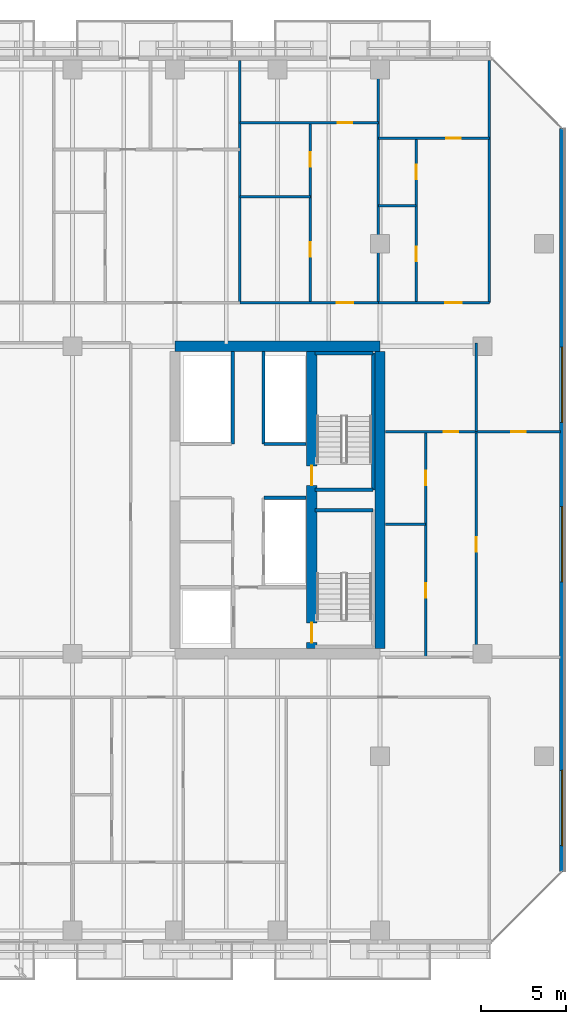
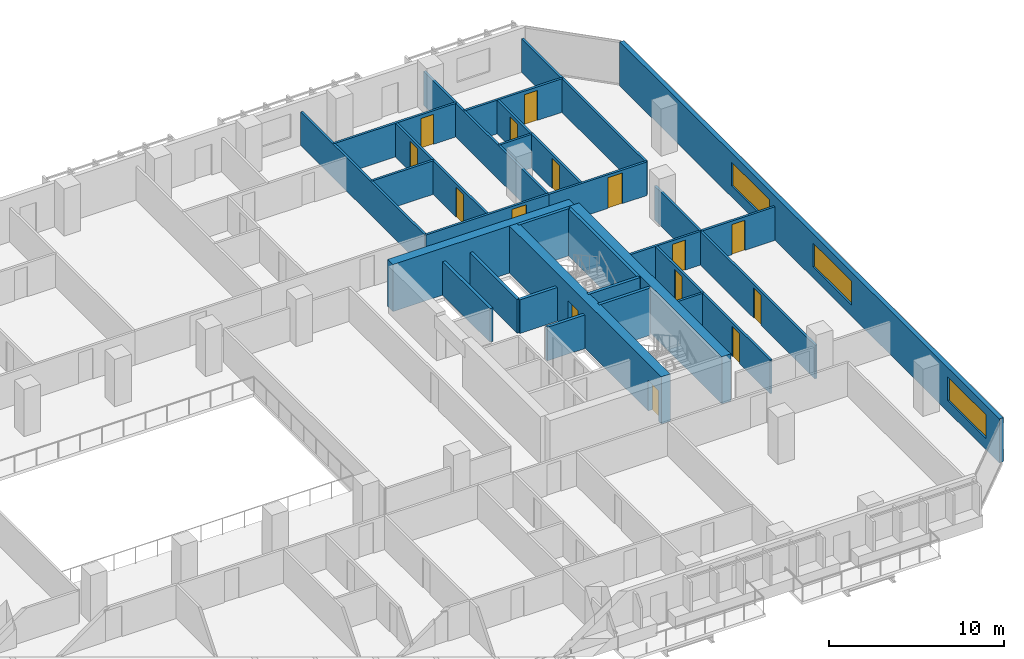
# One storey, part 24 of 34: 28 walls, 15 doors, 3 windows, 18 openings.
"""IFC4 building model written with IfcOpenShell, lengths in metres."""

from ifc_helpers import new_model, si_unit, direction, frame, frame_2d, origin, place, context, subcontext, project, spatial, rectangle, extrude, material, layer, layer_set, type_object, element, fill, save


model = new_model("IFC4")

# Units and contexts
model_context = context("Model", 3, precision=1e-05, world=origin(), true_north=direction((0.0, 1.0)))
body_context = subcontext(model_context, "Body", "Model", "MODEL_VIEW")
ifc_project = project(units=[si_unit("LENGTHUNIT", "METRE"), si_unit("AREAUNIT", "SQUARE_METRE"), si_unit("VOLUMEUNIT", "CUBIC_METRE"), si_unit("PLANEANGLEUNIT", "RADIAN"), si_unit("MASSUNIT", "GRAM", prefix="KILO")], contexts=[model_context])

# Site, building, storey
site_placement = place(None, origin())
site = spatial("IfcSite", under=ifc_project, at=site_placement, CompositionType="ELEMENT")
building_placement = place(site_placement, origin())
building = spatial("IfcBuilding", under=site, at=building_placement, Name="Tanjung Sevakor Pilgrim Tower", CompositionType="ELEMENT")
storey_placement = place(building_placement, frame((0.0, 0.0, 55.43994140625)))
storey = spatial("IfcBuildingStorey", under=building, at=storey_placement, Name="L15", CompositionType="ELEMENT", Elevation=55.43994140625)

# Walls
ifc_material_1 = material(Name="Concrete C60/75", Category="concrete")
ifc_layer_1 = layer(ifc_material_1, 0.60009765625)
ifc_layer_set_1 = layer_set([ifc_layer_1], Name="WALL-CW-600")
wall_type_1 = type_object("IfcWallType", Name="WALL-CW-600", PredefinedType="SHEAR", material=ifc_layer_set_1)
wall_1_placement = place(storey_placement, frame((90.0, 42.60009765625, 0.0), z_axis=(0.0, 0.0, 1.0), x_axis=(-1.0, 0.0, 0.0)))
element("IfcWall", 1, at=wall_1_placement, inside=storey, type_object=wall_type_1, Name="L15 E Core North Shear Wall", PredefinedType="SHEAR", context=body_context, shape_type="SweptSolid", body=[
    extrude(rectangle(XDim=12.0, YDim=0.60009765625, at=frame_2d((6.0, 0.0))), origin(), (0.0, 0.0, 1.0), 3.300048828125),
])
wall_2_placement = place(storey_placement, frame((90.0, 24.89990234375, 0.0), z_axis=(0.0, 0.0, 1.0), x_axis=(0.0, 1.0, 0.0)))
element("IfcWall", 2, at=wall_2_placement, inside=storey, type_object=wall_type_1, Name="L15 E Core Outer Shear Wall", PredefinedType="SHEAR", context=body_context, shape_type="SweptSolid", body=[
    extrude(rectangle(XDim=17.400146484375, YDim=0.60009765625, at=frame_2d((8.7001953125, 0.0))), origin(), (0.0, 0.0, 1.0), 3.300048828125),
])

# Wall, openings, doors
wall_3_placement = place(storey_placement, frame((86.0, 24.89990234375, 0.0), z_axis=(0.0, 0.0, 1.0), x_axis=(0.0, 1.0, 0.0)))
wall_3 = element("IfcWall", 3, at=wall_3_placement, inside=storey, type_object=wall_type_1, Name="L15 E Core Stair Spine Wall", PredefinedType="SHEAR", context=body_context, shape_type="SweptSolid", body=[
    extrude(rectangle(XDim=17.400146484375, YDim=0.60009765625, at=frame_2d((8.7001953125, 0.0))), origin(), (0.0, 0.0, 1.0), 3.300048828125),
])
opening_1_placement = place(wall_3_placement, frame((0.35009765625, 0.0, 0.0)))
opening_1 = element("IfcOpeningElement", 4, at=opening_1_placement, cuts=wall_3, Name="Opening ID-ST1", PredefinedType="OPENING", context=body_context, shape_type="SweptSolid", body=[
    extrude(rectangle(XDim=1.14990234375, YDim=2.14990234375, at=frame_2d((0.574951171875, 1.074951171875))), frame((0.0, 0.31005859375, 0.0), z_axis=(0.0, -1.0, 0.0), x_axis=(1.0, 0.0, 0.0)), (0.0, 0.0, 1.0), 0.6201171875),
])
opening_2_placement = place(wall_3_placement, frame((9.550048828125, 0.0, 0.0)))
opening_2 = element("IfcOpeningElement", 5, at=opening_2_placement, cuts=wall_3, Name="Opening ID-ST1", PredefinedType="OPENING", context=body_context, shape_type="SweptSolid", body=[
    extrude(rectangle(XDim=1.14990234375, YDim=2.14990234375, at=frame_2d((0.574951171875, 1.074951171875))), frame((0.0, 0.31005859375, 0.0), z_axis=(0.0, -1.0, 0.0), x_axis=(1.0, 0.0, 0.0)), (0.0, 0.0, 1.0), 0.6201171875),
])
ifc_material_2 = material(Name="Fire-Rated Steel S355J2", Category="steel")
door_type_1 = type_object("IfcDoorType", Name="DT-FIRE-1150", OperationType="NOTDEFINED", PredefinedType="DOOR", material=ifc_material_2)
door_1_placement = place(opening_1_placement, origin())
door_1 = element("IfcDoor", 6, at=door_1_placement, inside=storey, type_object=door_type_1, Name="L15 TS-E1 Stair Fire Door", OperationType="SINGLE_SWING_RIGHT", OverallHeight=2.14990234375, OverallWidth=1.14990234375, PredefinedType="DOOR", context=body_context, shape_type="SweptSolid", body=[
    extrude(rectangle(XDim=1.14990234375, YDim=2.14990234375, at=frame_2d((0.574951171875, 1.074951171875))), frame((0.0, 0.02490234375, 0.0), z_axis=(0.0, -1.0, 0.0), x_axis=(1.0, 0.0, 0.0)), (0.0, 0.0, 1.0), 0.050048828125),
])
fill(opening_1, door_1)
door_2_placement = place(opening_2_placement, origin())
door_2 = element("IfcDoor", 7, at=door_2_placement, inside=storey, type_object=door_type_1, Name="L15 TS-E2 Stair Fire Door", OperationType="SINGLE_SWING_LEFT", OverallHeight=2.14990234375, OverallWidth=1.14990234375, PredefinedType="DOOR", context=body_context, shape_type="SweptSolid", body=[
    extrude(rectangle(XDim=1.14990234375, YDim=2.14990234375, at=frame_2d((0.574951171875, 1.074951171875))), frame((0.0, 0.02490234375, 0.0), z_axis=(0.0, -1.0, 0.0), x_axis=(1.0, 0.0, 0.0)), (0.0, 0.0, 1.0), 0.050048828125),
])
fill(opening_2, door_2)

# Walls
ifc_material_3 = material(Name="Concrete C40/50", Category="concrete")
ifc_layer_2 = layer(ifc_material_3, 0.14990234375)
ifc_layer_set_2 = layer_set([ifc_layer_2], Name="WT-COMP-150")
wall_type_2 = type_object("IfcWallType", Name="WT-COMP-150", PredefinedType="SOLIDWALL", material=ifc_layer_set_2)
for number, where, z_axis, x_axis, name in (
    (8, (96.39990234375, 45.14990234375, 0.0), (0.0, 0.0, 1.0), (0.0, 1.0, 0.0), "L15 Partition IW-L15-084"),
    (9, (81.794677734375, 45.14990234375, 0.0), (0.0, 0.0, 1.0), (0.0, 1.0, 0.0), "L15 Partition IW-L15-093"),
    (10, (89.90869140625, 45.14990234375, 0.0), (0.0, 0.0, 1.0), (0.0, 1.0, 0.0), "L15 Partition IW-L15-099"),
):
    element("IfcWall", number, at=place(storey_placement, frame(where, z_axis=z_axis, x_axis=x_axis)), inside=storey, type_object=wall_type_2, Name=name, PredefinedType="SOLIDWALL", context=body_context, shape_type="SweptSolid", body=[
        extrude(rectangle(XDim=14.170166015625, YDim=0.14990234375, at=frame_2d((7.0849609375, 0.0))), origin(), (0.0, 0.0, 1.0), 2.35009765625),
    ])

# Wall, opening, door
wall_4_placement = place(storey_placement, frame((81.794677734375, 45.14990234375, 0.0), z_axis=(0.0, 0.0, 1.0), x_axis=(1.0, 0.0, 0.0)))
wall_4 = element("IfcWall", 11, at=wall_4_placement, inside=storey, type_object=wall_type_2, Name="L15 Partition IW-L15-103", PredefinedType="SOLIDWALL", context=body_context, shape_type="SweptSolid", body=[
    extrude(rectangle(XDim=8.114013671875, YDim=0.14990234375, at=frame_2d((4.05712890625, 0.0))), origin(), (0.0, 0.0, 1.0), 2.35009765625),
])
opening_3_placement = place(wall_4_placement, frame((5.684814453125, 0.0, 0.0)))
opening_3 = element("IfcOpeningElement", 12, at=opening_3_placement, cuts=wall_4, Name="Opening ID-FD2", PredefinedType="OPENING", context=body_context, shape_type="SweptSolid", body=[
    extrude(rectangle(XDim=0.949951171875, YDim=2.14990234375, at=frame_2d((0.47509765625, 1.074951171875))), frame((0.0, 0.0849609375, 0.0), z_axis=(0.0, -1.0, 0.0), x_axis=(1.0, 0.0, 0.0)), (0.0, 0.0, 1.0), 0.169921875),
])
ifc_material_4 = material(Name="Fire-Rated Timber", Category="wood")
door_type_2 = type_object("IfcDoorType", Name="DT-FIRE-950", OperationType="NOTDEFINED", PredefinedType="DOOR", material=ifc_material_4)
door_3_placement = place(opening_3_placement, origin())
door_3 = element("IfcDoor", 13, at=door_3_placement, inside=storey, type_object=door_type_2, Name="Residence Entrance", OperationType="SINGLE_SWING_LEFT", OverallHeight=2.14990234375, OverallWidth=0.949951171875, PredefinedType="DOOR", context=body_context, shape_type="SweptSolid", body=[
    extrude(rectangle(XDim=0.949951171875, YDim=2.14990234375, at=frame_2d((0.47509765625, 1.074951171875))), frame((0.0, 0.02490234375, 0.0), z_axis=(0.0, -1.0, 0.0), x_axis=(1.0, 0.0, 0.0)), (0.0, 0.0, 1.0), 0.050048828125),
])
fill(opening_3, door_3)

wall_5_placement = place(storey_placement, frame((89.90869140625, 45.14990234375, 0.0), z_axis=(0.0, 0.0, 1.0), x_axis=(1.0, 0.0, 0.0)))
wall_5 = element("IfcWall", 14, at=wall_5_placement, inside=storey, type_object=wall_type_2, Name="L15 Partition IW-L15-107", PredefinedType="SOLIDWALL", context=body_context, shape_type="SweptSolid", body=[
    extrude(rectangle(XDim=6.4912109375, YDim=0.14990234375, at=frame_2d((3.24560546875, 0.0))), origin(), (0.0, 0.0, 1.0), 2.35009765625),
])
opening_4_placement = place(wall_5_placement, frame((3.9140625, 0.0, 0.0)))
opening_4 = element("IfcOpeningElement", 15, at=opening_4_placement, cuts=wall_5, Name="Opening ID-FD2", PredefinedType="OPENING", context=body_context, shape_type="SweptSolid", body=[
    extrude(rectangle(XDim=0.949951171875, YDim=2.14990234375, at=frame_2d((0.47509765625, 1.074951171875))), frame((0.0, 0.0849609375, 0.0), z_axis=(0.0, -1.0, 0.0), x_axis=(1.0, 0.0, 0.0)), (0.0, 0.0, 1.0), 0.169921875),
])
door_4_placement = place(opening_4_placement, origin())
door_4 = element("IfcDoor", 16, at=door_4_placement, inside=storey, type_object=door_type_2, Name="Residence Entrance", OperationType="SINGLE_SWING_LEFT", OverallHeight=2.14990234375, OverallWidth=0.949951171875, PredefinedType="DOOR", context=body_context, shape_type="SweptSolid", body=[
    extrude(rectangle(XDim=0.949951171875, YDim=2.14990234375, at=frame_2d((0.47509765625, 1.074951171875))), frame((0.0, 0.02490234375, 0.0), z_axis=(0.0, -1.0, 0.0), x_axis=(1.0, 0.0, 0.0)), (0.0, 0.0, 1.0), 0.050048828125),
])
fill(opening_4, door_4)

# Wall, openings, windows
ifc_material_5 = material(Name="Precast concrete C45/55", Category="concrete")
ifc_layer_3 = layer(ifc_material_5, 0.280029296875)
ifc_layer_set_3 = layer_set([ifc_layer_3], Name="WT-EW-STN2")
wall_type_3 = type_object("IfcWallType", Name="WT-EW-STN2", PredefinedType="SOLIDWALL", material=ifc_layer_set_3)
wall_6_placement = place(storey_placement, frame((100.659912109375, 11.85791015625, 0.0), z_axis=(0.0, 0.0, 1.0), x_axis=(0.0, 1.0, 0.0)))
wall_6 = element("IfcWall", 17, at=wall_6_placement, inside=storey, type_object=wall_type_3, Name="L15 MAIN Exterior Wall 7", PredefinedType="SOLIDWALL", context=body_context, shape_type="SweptSolid", body=[
    extrude(rectangle(XDim=43.484130859375, YDim=0.280029296875, at=frame_2d((21.7421875, 0.0))), origin(), (0.0, 0.0, 1.0), 3.080078125),
])
opening_5_placement = place(wall_6_placement, frame((16.951904296875, 0.0, 0.780029296875)))
opening_5 = element("IfcOpeningElement", 18, at=opening_5_placement, cuts=wall_6, Name="Opening WN-ENDW-1660", PredefinedType="OPENING", context=body_context, shape_type="SweptSolid", body=[
    extrude(rectangle(XDim=4.39990234375, YDim=1.659912109375, at=frame_2d((2.199951171875, 0.830078125))), frame((0.0, 0.14990234375, 0.0), z_axis=(0.0, -1.0, 0.0), x_axis=(1.0, 0.0, 0.0)), (0.0, 0.0, 1.0), 0.300048828125),
])
opening_6_placement = place(wall_6_placement, frame((26.2919921875, 0.0, 0.780029296875)))
opening_6 = element("IfcOpeningElement", 19, at=opening_6_placement, cuts=wall_6, Name="Opening WN-ENDW-1660", PredefinedType="OPENING", context=body_context, shape_type="SweptSolid", body=[
    extrude(rectangle(XDim=4.39990234375, YDim=1.659912109375, at=frame_2d((2.199951171875, 0.830078125))), frame((0.0, 0.14990234375, 0.0), z_axis=(0.0, -1.0, 0.0), x_axis=(1.0, 0.0, 0.0)), (0.0, 0.0, 1.0), 0.300048828125),
])
opening_7_placement = place(wall_6_placement, frame((1.510986328125, 0.0, 0.780029296875)))
opening_7 = element("IfcOpeningElement", 20, at=opening_7_placement, cuts=wall_6, Name="Opening WN-ENDW-1660", PredefinedType="OPENING", context=body_context, shape_type="SweptSolid", body=[
    extrude(rectangle(XDim=4.39990234375, YDim=1.659912109375, at=frame_2d((2.199951171875, 0.830078125))), frame((0.0, 0.14990234375, 0.0), z_axis=(0.0, -1.0, 0.0), x_axis=(1.0, 0.0, 0.0)), (0.0, 0.0, 1.0), 0.300048828125),
])
ifc_material_6 = material(Name="Thermally Broken Aluminium and Low-E Glass", Category="aluminium")
window_type = type_object("IfcWindowType", Name="WTYP-WN-ENDW-1660", PartitioningType="DOUBLE_PANEL_VERTICAL", PredefinedType="WINDOW", material=ifc_material_6)
window_1_placement = place(opening_5_placement, origin())
window_1 = element("IfcWindow", 21, at=window_1_placement, inside=storey, type_object=window_type, Name="L15 Facade Window 01", OverallHeight=1.659912109375, OverallWidth=4.39990234375, PartitioningType="SINGLE_PANEL", PredefinedType="WINDOW", context=body_context, shape_type="SweptSolid", body=[
    extrude(rectangle(XDim=4.39990234375, YDim=1.659912109375, at=frame_2d((2.199951171875, 0.830078125))), frame((0.0, 0.030029296875, 0.0), z_axis=(0.0, -1.0, 0.0), x_axis=(1.0, 0.0, 0.0)), (0.0, 0.0, 1.0), 0.06005859375),
])
fill(opening_5, window_1)
window_2_placement = place(opening_6_placement, origin())
window_2 = element("IfcWindow", 22, at=window_2_placement, inside=storey, type_object=window_type, Name="L15 Facade Window 02", OverallHeight=1.659912109375, OverallWidth=4.39990234375, PartitioningType="SINGLE_PANEL", PredefinedType="WINDOW", context=body_context, shape_type="SweptSolid", body=[
    extrude(rectangle(XDim=4.39990234375, YDim=1.659912109375, at=frame_2d((2.199951171875, 0.830078125))), frame((0.0, 0.030029296875, 0.0), z_axis=(0.0, -1.0, 0.0), x_axis=(1.0, 0.0, 0.0)), (0.0, 0.0, 1.0), 0.06005859375),
])
fill(opening_6, window_2)
window_3_placement = place(opening_7_placement, origin())
window_3 = element("IfcWindow", 23, at=window_3_placement, inside=storey, type_object=window_type, Name="L15 Facade Window 03", OverallHeight=1.659912109375, OverallWidth=4.39990234375, PartitioningType="SINGLE_PANEL", PredefinedType="WINDOW", context=body_context, shape_type="SweptSolid", body=[
    extrude(rectangle(XDim=4.39990234375, YDim=1.659912109375, at=frame_2d((2.199951171875, 0.830078125))), frame((0.0, 0.030029296875, 0.0), z_axis=(0.0, -1.0, 0.0), x_axis=(1.0, 0.0, 0.0)), (0.0, 0.0, 1.0), 0.06005859375),
])
fill(opening_7, window_3)

# Walls
ifc_material_7 = material(Name="Concrete C40/50", Category="concrete")
ifc_layer_4 = layer(ifc_material_7, 0.199951171875)
ifc_layer_set_4 = layer_set([ifc_layer_4], Name="WT-FIRE-200")
wall_type_4 = type_object("IfcWallType", Name="WT-FIRE-200", PredefinedType="SOLIDWALL", material=ifc_layer_set_4)
for number, where, z_axis, x_axis, name in (
    (24, (89.60009765625, 33.0, 0.0), (0.0, 0.0, 1.0), (-1.0, 0.0, 0.0), "L15 TS-E1 Shaft Wall 3"),
    (25, (86.199951171875, 34.199951171875, 0.0), (0.0, 0.0, 1.0), (1.0, 0.0, 0.0), "L15 TS-E2 Shaft Wall 1"),
):
    element("IfcWall", number, at=place(storey_placement, frame(where, z_axis=z_axis, x_axis=x_axis)), inside=storey, type_object=wall_type_4, Name=name, PredefinedType="SOLIDWALL", context=body_context, shape_type="SweptSolid", body=[
        extrude(rectangle(XDim=3.400146484375, YDim=0.199951171875, at=frame_2d((1.7001953125, 0.0))), origin(), (0.0, 0.0, 1.0), 3.300048828125),
    ])
wall_7_placement = place(storey_placement, frame((89.60009765625, 34.199951171875, 0.0), z_axis=(0.0, 0.0, 1.0), x_axis=(0.0, 1.0, 0.0)))
element("IfcWall", 26, at=wall_7_placement, inside=storey, type_object=wall_type_4, Name="L15 TS-E2 Shaft Wall 2", PredefinedType="SOLIDWALL", context=body_context, shape_type="SweptSolid", body=[
    extrude(rectangle(XDim=8.0, YDim=0.199951171875, at=frame_2d((4.0, 0.0))), origin(), (0.0, 0.0, 1.0), 3.300048828125),
])
wall_8_placement = place(storey_placement, frame((89.60009765625, 42.199951171875, 0.0), z_axis=(0.0, 0.0, 1.0), x_axis=(-1.0, 0.0, 0.0)))
element("IfcWall", 27, at=wall_8_placement, inside=storey, type_object=wall_type_4, Name="L15 TS-E2 Shaft Wall 3", PredefinedType="SOLIDWALL", context=body_context, shape_type="SweptSolid", body=[
    extrude(rectangle(XDim=3.400146484375, YDim=0.199951171875, at=frame_2d((1.7001953125, 0.0))), origin(), (0.0, 0.0, 1.0), 3.300048828125),
])
ifc_material_8 = material(Name="Concrete C40/50", Category="concrete")
ifc_layer_5 = layer(ifc_material_8, 0.199951171875)
ifc_layer_set_5 = layer_set([ifc_layer_5], Name="WT-FPRT-200")
wall_type_5 = type_object("IfcWallType", Name="WT-FPRT-200", PredefinedType="SOLIDWALL", material=ifc_layer_set_5)
for number, where, z_axis, x_axis, name in (
    (28, (83.199951171875, 33.719970703125, 0.0), (0.0, 0.0, 1.0), (1.0, 0.0, 0.0), "L15 Partition IW-L15-014"),
    (29, (83.199951171875, 36.8798828125, 0.0), (0.0, 0.0, 1.0), (1.0, 0.0, 0.0), "L15 Partition IW-L15-019"),
):
    element("IfcWall", number, at=place(storey_placement, frame(where, z_axis=z_axis, x_axis=x_axis)), inside=storey, type_object=wall_type_5, Name=name, PredefinedType="SOLIDWALL", context=body_context, shape_type="SweptSolid", body=[
        extrude(rectangle(XDim=2.47998046875, YDim=0.199951171875, at=frame_2d((1.239990234375, 0.0))), origin(), (0.0, 0.0, 1.0), 2.35009765625),
    ])
for number, where, z_axis, x_axis, name in (
    (30, (83.179931640625, 36.8798828125, 0.0), (0.0, 0.0, 1.0), (0.0, 1.0, 0.0), "L15 Partition IW-L15-020"),
    (31, (81.3798828125, 36.8798828125, 0.0), (0.0, 0.0, 1.0), (0.0, 1.0, 0.0), "L15 Partition IW-L15-022"),
):
    element("IfcWall", number, at=place(storey_placement, frame(where, z_axis=z_axis, x_axis=x_axis)), inside=storey, type_object=wall_type_5, Name=name, PredefinedType="SOLIDWALL", context=body_context, shape_type="SweptSolid", body=[
        extrude(rectangle(XDim=5.420166015625, YDim=0.199951171875, at=frame_2d((2.7099609375, 0.0))), origin(), (0.0, 0.0, 1.0), 2.35009765625),
    ])

# Wall, opening, door
ifc_material_9 = material(Name="Gypsum Board Partition", Category="gypsum board")
ifc_layer_6 = layer(ifc_material_9, 0.14990234375)
ifc_layer_set_6 = layer_set([ifc_layer_6], Name="WT-PART-150")
wall_type_6 = type_object("IfcWallType", Name="WT-PART-150", PredefinedType="PARTITIONING", material=ifc_layer_set_6)
wall_9_placement = place(storey_placement, frame((95.644775390625, 24.39990234375, 0.0), z_axis=(0.0, 0.0, 1.0), x_axis=(0.0, 1.0, 0.0)))
wall_9 = element("IfcWall", 32, at=wall_9_placement, inside=storey, type_object=wall_type_6, Name="L15 Partition IW-L15-032", PredefinedType="PARTITIONING", context=body_context, shape_type="SweptSolid", body=[
    extrude(rectangle(XDim=13.2001953125, YDim=0.14990234375, at=frame_2d((6.60009765625, 0.0))), origin(), (0.0, 0.0, 1.0), 2.35009765625),
])
opening_8_placement = place(wall_9_placement, frame((6.175048828125, 0.0, 0.0)))
opening_8 = element("IfcOpeningElement", 33, at=opening_8_placement, cuts=wall_9, Name="Opening ID-WC1", PredefinedType="OPENING", context=body_context, shape_type="SweptSolid", body=[
    extrude(rectangle(XDim=0.85009765625, YDim=2.10009765625, at=frame_2d((0.425048828125, 1.050048828125))), frame((0.0, 0.0849609375, 0.0), z_axis=(0.0, -1.0, 0.0), x_axis=(1.0, 0.0, 0.0)), (0.0, 0.0, 1.0), 0.169921875),
])
ifc_material_10 = material(Name="Moisture-Resistant Timber", Category="wood")
door_type_3 = type_object("IfcDoorType", Name="DT-INT-850", OperationType="NOTDEFINED", PredefinedType="DOOR", material=ifc_material_10)
door_5_placement = place(opening_8_placement, origin())
door_5 = element("IfcDoor", 34, at=door_5_placement, inside=storey, type_object=door_type_3, Name="Suite Study Room Door", OperationType="SINGLE_SWING_RIGHT", OverallHeight=2.10009765625, OverallWidth=0.85009765625, PredefinedType="DOOR", context=body_context, shape_type="SweptSolid", body=[
    extrude(rectangle(XDim=0.85009765625, YDim=2.10009765625, at=frame_2d((0.425048828125, 1.050048828125))), frame((0.0, 0.02490234375, 0.0), z_axis=(0.0, -1.0, 0.0), x_axis=(1.0, 0.0, 0.0)), (0.0, 0.0, 1.0), 0.050048828125),
])
fill(opening_8, door_5)

# Wall
wall_10_placement = place(storey_placement, frame((90.320068359375, 32.18798828125, 0.0), z_axis=(0.0, 0.0, 1.0), x_axis=(1.0, 0.0, 0.0)))
element("IfcWall", 35, at=wall_10_placement, inside=storey, type_object=wall_type_6, Name="L15 Partition IW-L15-033", PredefinedType="PARTITIONING", context=body_context, shape_type="SweptSolid", body=[
    extrude(rectangle(XDim=2.349853515625, YDim=0.14990234375, at=frame_2d((1.1748046875, 0.0))), origin(), (0.0, 0.0, 1.0), 2.35009765625),
])

# Wall, openings, doors
wall_11_placement = place(storey_placement, frame((92.669921875, 24.39990234375, 0.0), z_axis=(0.0, 0.0, 1.0), x_axis=(0.0, 1.0, 0.0)))
wall_11 = element("IfcWall", 36, at=wall_11_placement, inside=storey, type_object=wall_type_6, Name="L15 Partition IW-L15-034", PredefinedType="PARTITIONING", context=body_context, shape_type="SweptSolid", body=[
    extrude(rectangle(XDim=13.2001953125, YDim=0.14990234375, at=frame_2d((6.60009765625, 0.0))), origin(), (0.0, 0.0, 1.0), 2.35009765625),
])
opening_9_placement = place(wall_11_placement, frame((3.468994140625, 0.0, 0.0)))
opening_9 = element("IfcOpeningElement", 37, at=opening_9_placement, cuts=wall_11, Name="Opening ID-WC1", PredefinedType="OPENING", context=body_context, shape_type="SweptSolid", body=[
    extrude(rectangle(XDim=0.85009765625, YDim=2.10009765625, at=frame_2d((0.425048828125, 1.050048828125))), frame((0.0, 0.0849609375, 0.0), z_axis=(0.0, -1.0, 0.0), x_axis=(1.0, 0.0, 0.0)), (0.0, 0.0, 1.0), 0.169921875),
])
opening_10_placement = place(wall_11_placement, frame((10.069091796875, 0.0, 0.0)))
opening_10 = element("IfcOpeningElement", 38, at=opening_10_placement, cuts=wall_11, Name="Opening ID-WC1", PredefinedType="OPENING", context=body_context, shape_type="SweptSolid", body=[
    extrude(rectangle(XDim=0.85009765625, YDim=2.10009765625, at=frame_2d((0.425048828125, 1.050048828125))), frame((0.0, 0.0849609375, 0.0), z_axis=(0.0, -1.0, 0.0), x_axis=(1.0, 0.0, 0.0)), (0.0, 0.0, 1.0), 0.169921875),
])
door_6_placement = place(opening_9_placement, origin())
door_6 = element("IfcDoor", 39, at=door_6_placement, inside=storey, type_object=door_type_3, Name="Suite Kitchenette Door", OperationType="SINGLE_SWING_LEFT", OverallHeight=2.10009765625, OverallWidth=0.85009765625, PredefinedType="DOOR", context=body_context, shape_type="SweptSolid", body=[
    extrude(rectangle(XDim=0.85009765625, YDim=2.10009765625, at=frame_2d((0.425048828125, 1.050048828125))), frame((0.0, 0.02490234375, 0.0), z_axis=(0.0, -1.0, 0.0), x_axis=(1.0, 0.0, 0.0)), (0.0, 0.0, 1.0), 0.050048828125),
])
fill(opening_9, door_6)
door_7_placement = place(opening_10_placement, origin())
door_7 = element("IfcDoor", 40, at=door_7_placement, inside=storey, type_object=door_type_3, Name="Suite Bathroom Door", OperationType="SINGLE_SWING_RIGHT", OverallHeight=2.10009765625, OverallWidth=0.85009765625, PredefinedType="DOOR", context=body_context, shape_type="SweptSolid", body=[
    extrude(rectangle(XDim=0.85009765625, YDim=2.10009765625, at=frame_2d((0.425048828125, 1.050048828125))), frame((0.0, 0.02490234375, 0.0), z_axis=(0.0, -1.0, 0.0), x_axis=(1.0, 0.0, 0.0)), (0.0, 0.0, 1.0), 0.050048828125),
])
fill(opening_10, door_7)

# Wall
wall_12_placement = place(storey_placement, frame((95.644775390625, 37.60009765625, 0.0), z_axis=(0.0, 0.0, 1.0), x_axis=(0.0, 1.0, 0.0)))
element("IfcWall", 41, at=wall_12_placement, inside=storey, type_object=wall_type_6, Name="L15 Partition IW-L15-035", PredefinedType="PARTITIONING", context=body_context, shape_type="SweptSolid", body=[
    extrude(rectangle(XDim=5.199951171875, YDim=0.14990234375, at=frame_2d((2.60009765625, 0.0))), origin(), (0.0, 0.0, 1.0), 2.35009765625),
])

# Wall, openings, doors
wall_13_placement = place(storey_placement, frame((90.320068359375, 37.60009765625, 0.0), z_axis=(0.0, 0.0, 1.0), x_axis=(1.0, 0.0, 0.0)))
wall_13 = element("IfcWall", 42, at=wall_13_placement, inside=storey, type_object=wall_type_6, Name="L15 Partition IW-L15-036", PredefinedType="PARTITIONING", context=body_context, shape_type="SweptSolid", body=[
    extrude(rectangle(XDim=10.239990234375, YDim=0.14990234375, at=frame_2d((5.1201171875, 0.0))), origin(), (0.0, 0.0, 1.0), 2.35009765625),
])
opening_11_placement = place(wall_13_placement, frame((3.412353515625, 0.0, 0.0)))
opening_11 = element("IfcOpeningElement", 43, at=opening_11_placement, cuts=wall_13, Name="Opening ID-WC1", PredefinedType="OPENING", context=body_context, shape_type="SweptSolid", body=[
    extrude(rectangle(XDim=0.85009765625, YDim=2.10009765625, at=frame_2d((0.425048828125, 1.050048828125))), frame((0.0, 0.0849609375, 0.0), z_axis=(0.0, -1.0, 0.0), x_axis=(1.0, 0.0, 0.0)), (0.0, 0.0, 1.0), 0.169921875),
])
opening_12_placement = place(wall_13_placement, frame((7.357421875, 0.0, 0.0)))
opening_12 = element("IfcOpeningElement", 44, at=opening_12_placement, cuts=wall_13, Name="Opening ID-WC1", PredefinedType="OPENING", context=body_context, shape_type="SweptSolid", body=[
    extrude(rectangle(XDim=0.85009765625, YDim=2.10009765625, at=frame_2d((0.425048828125, 1.050048828125))), frame((0.0, 0.0849609375, 0.0), z_axis=(0.0, -1.0, 0.0), x_axis=(1.0, 0.0, 0.0)), (0.0, 0.0, 1.0), 0.169921875),
])
door_8_placement = place(opening_11_placement, origin())
door_8 = element("IfcDoor", 45, at=door_8_placement, inside=storey, type_object=door_type_3, Name="Suite Bedroom 1 Door", OperationType="SINGLE_SWING_LEFT", OverallHeight=2.10009765625, OverallWidth=0.85009765625, PredefinedType="DOOR", context=body_context, shape_type="SweptSolid", body=[
    extrude(rectangle(XDim=0.85009765625, YDim=2.10009765625, at=frame_2d((0.425048828125, 1.050048828125))), frame((0.0, 0.02490234375, 0.0), z_axis=(0.0, -1.0, 0.0), x_axis=(1.0, 0.0, 0.0)), (0.0, 0.0, 1.0), 0.050048828125),
])
fill(opening_11, door_8)
door_9_placement = place(opening_12_placement, origin())
door_9 = element("IfcDoor", 46, at=door_9_placement, inside=storey, type_object=door_type_3, Name="Suite Bedroom 2 Door", OperationType="SINGLE_SWING_RIGHT", OverallHeight=2.10009765625, OverallWidth=0.85009765625, PredefinedType="DOOR", context=body_context, shape_type="SweptSolid", body=[
    extrude(rectangle(XDim=0.85009765625, YDim=2.10009765625, at=frame_2d((0.425048828125, 1.050048828125))), frame((0.0, 0.02490234375, 0.0), z_axis=(0.0, -1.0, 0.0), x_axis=(1.0, 0.0, 0.0)), (0.0, 0.0, 1.0), 0.050048828125),
])
fill(opening_12, door_9)

# Wall
wall_14_placement = place(storey_placement, frame((81.794677734375, 51.365234375, 0.0), z_axis=(0.0, 0.0, 1.0), x_axis=(1.0, 0.0, 0.0)))
element("IfcWall", 47, at=wall_14_placement, inside=storey, type_object=wall_type_6, Name="L15 Partition IW-L15-100", PredefinedType="PARTITIONING", context=body_context, shape_type="SweptSolid", body=[
    extrude(rectangle(XDim=4.125244140625, YDim=0.14990234375, at=frame_2d((2.0625, 0.0))), origin(), (0.0, 0.0, 1.0), 2.35009765625),
])

# Wall, openings, doors
wall_15_placement = place(storey_placement, frame((85.919921875, 45.14990234375, 0.0), z_axis=(0.0, 0.0, 1.0), x_axis=(0.0, 1.0, 0.0)))
wall_15 = element("IfcWall", 48, at=wall_15_placement, inside=storey, type_object=wall_type_6, Name="L15 Partition IW-L15-101", PredefinedType="PARTITIONING", context=body_context, shape_type="SweptSolid", body=[
    extrude(rectangle(XDim=10.534423828125, YDim=0.14990234375, at=frame_2d((5.26708984375, 0.0))), origin(), (0.0, 0.0, 1.0), 2.35009765625),
])
opening_13_placement = place(wall_15_placement, frame((2.6826171875, 0.0, 0.0)))
opening_13 = element("IfcOpeningElement", 49, at=opening_13_placement, cuts=wall_15, Name="Opening ID-WC1", PredefinedType="OPENING", context=body_context, shape_type="SweptSolid", body=[
    extrude(rectangle(XDim=0.85009765625, YDim=2.10009765625, at=frame_2d((0.425048828125, 1.050048828125))), frame((0.0, 0.0849609375, 0.0), z_axis=(0.0, -1.0, 0.0), x_axis=(1.0, 0.0, 0.0)), (0.0, 0.0, 1.0), 0.169921875),
])
opening_14_placement = place(wall_15_placement, frame((7.94970703125, 0.0, 0.0)))
opening_14 = element("IfcOpeningElement", 50, at=opening_14_placement, cuts=wall_15, Name="Opening ID-WC1", PredefinedType="OPENING", context=body_context, shape_type="SweptSolid", body=[
    extrude(rectangle(XDim=0.85009765625, YDim=2.10009765625, at=frame_2d((0.425048828125, 1.050048828125))), frame((0.0, 0.0849609375, 0.0), z_axis=(0.0, -1.0, 0.0), x_axis=(1.0, 0.0, 0.0)), (0.0, 0.0, 1.0), 0.169921875),
])
door_10_placement = place(opening_13_placement, origin())
door_10 = element("IfcDoor", 51, at=door_10_placement, inside=storey, type_object=door_type_3, Name="Residence Kitchenette Door", OperationType="SINGLE_SWING_RIGHT", OverallHeight=2.10009765625, OverallWidth=0.85009765625, PredefinedType="DOOR", context=body_context, shape_type="SweptSolid", body=[
    extrude(rectangle(XDim=0.85009765625, YDim=2.10009765625, at=frame_2d((0.425048828125, 1.050048828125))), frame((0.0, 0.02490234375, 0.0), z_axis=(0.0, -1.0, 0.0), x_axis=(1.0, 0.0, 0.0)), (0.0, 0.0, 1.0), 0.050048828125),
])
fill(opening_13, door_10)
door_11_placement = place(opening_14_placement, origin())
door_11 = element("IfcDoor", 52, at=door_11_placement, inside=storey, type_object=door_type_3, Name="Residence Bathroom Door", OperationType="SINGLE_SWING_LEFT", OverallHeight=2.10009765625, OverallWidth=0.85009765625, PredefinedType="DOOR", context=body_context, shape_type="SweptSolid", body=[
    extrude(rectangle(XDim=0.85009765625, YDim=2.10009765625, at=frame_2d((0.425048828125, 1.050048828125))), frame((0.0, 0.02490234375, 0.0), z_axis=(0.0, -1.0, 0.0), x_axis=(1.0, 0.0, 0.0)), (0.0, 0.0, 1.0), 0.050048828125),
])
fill(opening_14, door_11)

# Wall, opening, door
wall_16_placement = place(storey_placement, frame((81.794677734375, 55.684326171875, 0.0), z_axis=(0.0, 0.0, 1.0), x_axis=(1.0, 0.0, 0.0)))
wall_16 = element("IfcWall", 53, at=wall_16_placement, inside=storey, type_object=wall_type_6, Name="L15 Partition IW-L15-102", PredefinedType="PARTITIONING", context=body_context, shape_type="SweptSolid", body=[
    extrude(rectangle(XDim=8.114013671875, YDim=0.14990234375, at=frame_2d((4.05712890625, 0.0))), origin(), (0.0, 0.0, 1.0), 2.35009765625),
])
opening_15_placement = place(wall_16_placement, frame((5.73486328125, 0.0, 0.0)))
opening_15 = element("IfcOpeningElement", 54, at=opening_15_placement, cuts=wall_16, Name="Opening ID-WC1", PredefinedType="OPENING", context=body_context, shape_type="SweptSolid", body=[
    extrude(rectangle(XDim=0.85009765625, YDim=2.10009765625, at=frame_2d((0.425048828125, 1.050048828125))), frame((0.0, 0.0849609375, 0.0), z_axis=(0.0, -1.0, 0.0), x_axis=(1.0, 0.0, 0.0)), (0.0, 0.0, 1.0), 0.169921875),
])
door_12_placement = place(opening_15_placement, origin())
door_12 = element("IfcDoor", 55, at=door_12_placement, inside=storey, type_object=door_type_3, Name="Residence Bedroom Door", OperationType="SINGLE_SWING_RIGHT", OverallHeight=2.10009765625, OverallWidth=0.85009765625, PredefinedType="DOOR", context=body_context, shape_type="SweptSolid", body=[
    extrude(rectangle(XDim=0.85009765625, YDim=2.10009765625, at=frame_2d((0.425048828125, 1.050048828125))), frame((0.0, 0.02490234375, 0.0), z_axis=(0.0, -1.0, 0.0), x_axis=(1.0, 0.0, 0.0)), (0.0, 0.0, 1.0), 0.050048828125),
])
fill(opening_15, door_12)

# Wall
wall_17_placement = place(storey_placement, frame((89.90869140625, 50.8291015625, 0.0), z_axis=(0.0, 0.0, 1.0), x_axis=(1.0, 0.0, 0.0)))
element("IfcWall", 56, at=wall_17_placement, inside=storey, type_object=wall_type_6, Name="L15 Partition IW-L15-104", PredefinedType="PARTITIONING", context=body_context, shape_type="SweptSolid", body=[
    extrude(rectangle(XDim=2.20703125, YDim=0.14990234375, at=frame_2d((1.103515625, 0.0))), origin(), (0.0, 0.0, 1.0), 2.35009765625),
])

# Wall, openings, doors
wall_18_placement = place(storey_placement, frame((92.11572265625, 45.14990234375, 0.0), z_axis=(0.0, 0.0, 1.0), x_axis=(0.0, 1.0, 0.0)))
wall_18 = element("IfcWall", 57, at=wall_18_placement, inside=storey, type_object=wall_type_6, Name="L15 Partition IW-L15-105", PredefinedType="PARTITIONING", context=body_context, shape_type="SweptSolid", body=[
    extrude(rectangle(XDim=9.62548828125, YDim=0.14990234375, at=frame_2d((4.812744140625, 0.0))), origin(), (0.0, 0.0, 1.0), 2.35009765625),
])
opening_16_placement = place(wall_18_placement, frame((2.41455078125, 0.0, 0.0)))
opening_16 = element("IfcOpeningElement", 58, at=opening_16_placement, cuts=wall_18, Name="Opening ID-WC1", PredefinedType="OPENING", context=body_context, shape_type="SweptSolid", body=[
    extrude(rectangle(XDim=0.85009765625, YDim=2.10009765625, at=frame_2d((0.425048828125, 1.050048828125))), frame((0.0, 0.0849609375, 0.0), z_axis=(0.0, -1.0, 0.0), x_axis=(1.0, 0.0, 0.0)), (0.0, 0.0, 1.0), 0.169921875),
])
opening_17_placement = place(wall_18_placement, frame((7.227294921875, 0.0, 0.0)))
opening_17 = element("IfcOpeningElement", 59, at=opening_17_placement, cuts=wall_18, Name="Opening ID-WC1", PredefinedType="OPENING", context=body_context, shape_type="SweptSolid", body=[
    extrude(rectangle(XDim=0.85009765625, YDim=2.10009765625, at=frame_2d((0.425048828125, 1.050048828125))), frame((0.0, 0.0849609375, 0.0), z_axis=(0.0, -1.0, 0.0), x_axis=(1.0, 0.0, 0.0)), (0.0, 0.0, 1.0), 0.169921875),
])
door_13_placement = place(opening_16_placement, origin())
door_13 = element("IfcDoor", 60, at=door_13_placement, inside=storey, type_object=door_type_3, Name="Residence Kitchenette Door", OperationType="SINGLE_SWING_RIGHT", OverallHeight=2.10009765625, OverallWidth=0.85009765625, PredefinedType="DOOR", context=body_context, shape_type="SweptSolid", body=[
    extrude(rectangle(XDim=0.85009765625, YDim=2.10009765625, at=frame_2d((0.425048828125, 1.050048828125))), frame((0.0, 0.02490234375, 0.0), z_axis=(0.0, -1.0, 0.0), x_axis=(1.0, 0.0, 0.0)), (0.0, 0.0, 1.0), 0.050048828125),
])
fill(opening_16, door_13)
door_14_placement = place(opening_17_placement, origin())
door_14 = element("IfcDoor", 61, at=door_14_placement, inside=storey, type_object=door_type_3, Name="Residence Bathroom Door", OperationType="SINGLE_SWING_LEFT", OverallHeight=2.10009765625, OverallWidth=0.85009765625, PredefinedType="DOOR", context=body_context, shape_type="SweptSolid", body=[
    extrude(rectangle(XDim=0.85009765625, YDim=2.10009765625, at=frame_2d((0.425048828125, 1.050048828125))), frame((0.0, 0.02490234375, 0.0), z_axis=(0.0, -1.0, 0.0), x_axis=(1.0, 0.0, 0.0)), (0.0, 0.0, 1.0), 0.050048828125),
])
fill(opening_17, door_14)

# Wall, opening, door
wall_19_placement = place(storey_placement, frame((89.90869140625, 54.775390625, 0.0), z_axis=(0.0, 0.0, 1.0), x_axis=(1.0, 0.0, 0.0)))
wall_19 = element("IfcWall", 62, at=wall_19_placement, inside=storey, type_object=wall_type_6, Name="L15 Partition IW-L15-106", PredefinedType="PARTITIONING", context=body_context, shape_type="SweptSolid", body=[
    extrude(rectangle(XDim=6.4912109375, YDim=0.14990234375, at=frame_2d((3.24560546875, 0.0))), origin(), (0.0, 0.0, 1.0), 2.35009765625),
])
opening_18_placement = place(wall_19_placement, frame((3.964111328125, 0.0, 0.0)))
opening_18 = element("IfcOpeningElement", 63, at=opening_18_placement, cuts=wall_19, Name="Opening ID-WC1", PredefinedType="OPENING", context=body_context, shape_type="SweptSolid", body=[
    extrude(rectangle(XDim=0.85009765625, YDim=2.10009765625, at=frame_2d((0.425048828125, 1.050048828125))), frame((0.0, 0.0849609375, 0.0), z_axis=(0.0, -1.0, 0.0), x_axis=(1.0, 0.0, 0.0)), (0.0, 0.0, 1.0), 0.169921875),
])
door_15_placement = place(opening_18_placement, origin())
door_15 = element("IfcDoor", 64, at=door_15_placement, inside=storey, type_object=door_type_3, Name="Residence Bedroom Door", OperationType="SINGLE_SWING_RIGHT", OverallHeight=2.10009765625, OverallWidth=0.85009765625, PredefinedType="DOOR", context=body_context, shape_type="SweptSolid", body=[
    extrude(rectangle(XDim=0.85009765625, YDim=2.10009765625, at=frame_2d((0.425048828125, 1.050048828125))), frame((0.0, 0.02490234375, 0.0), z_axis=(0.0, -1.0, 0.0), x_axis=(1.0, 0.0, 0.0)), (0.0, 0.0, 1.0), 0.050048828125),
])
fill(opening_18, door_15)

save(model, "model.ifc")
